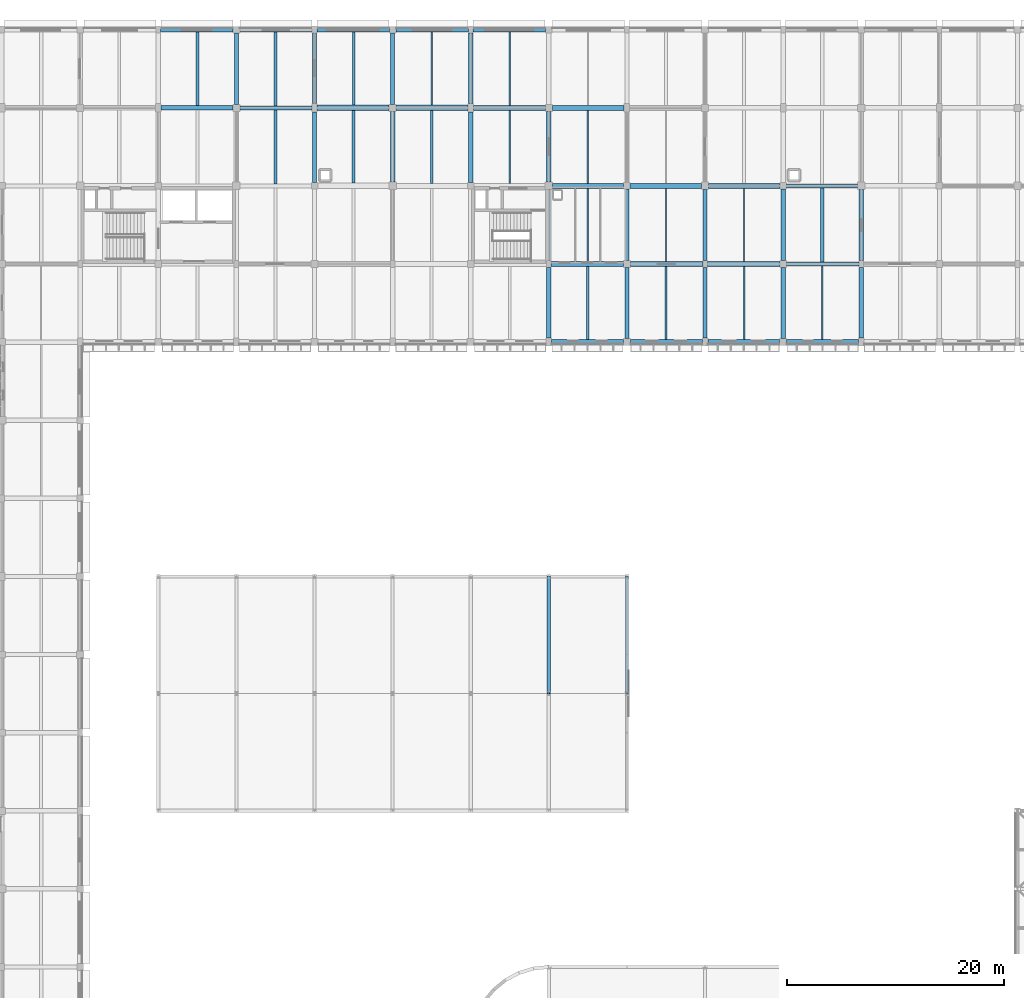
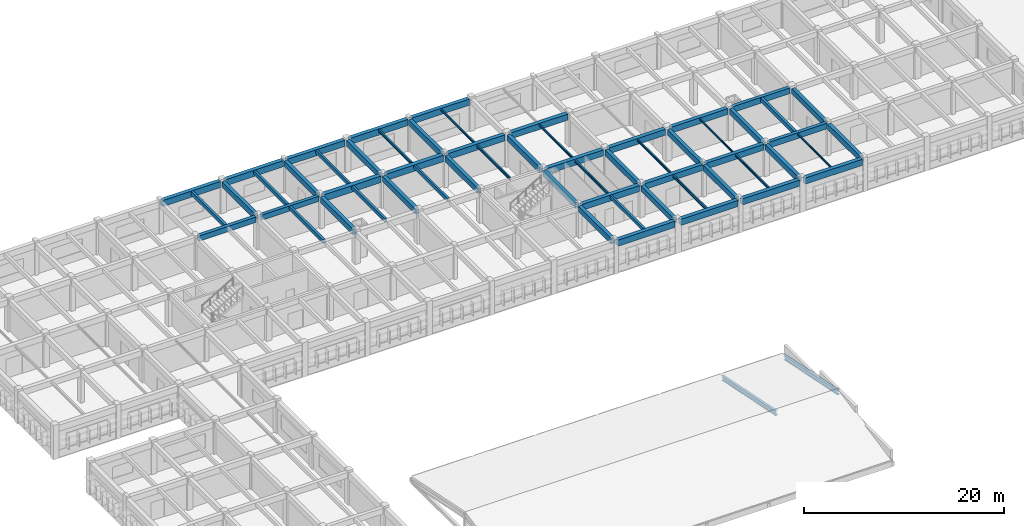
# One storey, part 43 of 103: 59 beams, 2 members.
"""IFC4 building model written with IfcOpenShell, lengths in metres."""

import ifcopenshell
import ifcopenshell.guid

model = None  # the IFC model being written
_history = None  # IfcOwnerHistory: only IFC2X3 demands one
_inside = {}  # id of a spatial element -> (the spatial element, [elements in it])
_under = {}  # id of a project, library or spatial element -> (it, [spatial elements below it])
_declared = {}  # id of a project -> (the project, [libraries it declares])
_typed = {}  # id of a type object -> (the type object, [elements of that type])
_made_of = {}  # id of a material, layer set ... -> (it, [elements and type objects made of it])


def new_model(schema):
    """Start an empty IFC model of exactly this schema.

    Asked for "IFC4X3", IfcOpenShell would pick the latest addendum, in which some entities
    have other attributes; the version numbers below select the first issue.
    IFC2X3 requires an IfcOwnerHistory on every rooted entity: one is made here for all.
    """
    global model, _history
    if schema == "IFC4X3":
        model = ifcopenshell.file(schema_version=(4, 3, 0, 0))
    else:
        model = ifcopenshell.file(schema=schema)
    _inside.clear()
    _under.clear()
    _declared.clear()
    _typed.clear()
    _made_of.clear()
    _history = None
    if model.schema == "IFC2X3":
        org = make("IfcOrganization", Name="unknown")
        user = make(
            "IfcPersonAndOrganization",
            ThePerson=make("IfcPerson", FamilyName="unknown"),
            TheOrganization=org,
        )
        app = make(
            "IfcApplication",
            ApplicationDeveloper=org,
            Version="unknown",
            ApplicationFullName="unknown",
            ApplicationIdentifier="unknown",
        )
        _history = make(
            "IfcOwnerHistory",
            OwningUser=user,
            OwningApplication=app,
            ChangeAction="ADDED",
            CreationDate=0,
        )
    return model


def make(cls, **values):
    """One entity of the class cls with the attributes given. An attribute that is None is left unset."""
    return model.create_entity(
        cls, **{name: value for name, value in values.items() if value is not None}
    )


def rooted(cls, **values):
    """An entity with a GlobalId (a new one), such as an element, a storey or a relation."""
    return make(cls, GlobalId=ifcopenshell.guid.new(), OwnerHistory=_history, **values)


def si_unit(unit_type, name, prefix=None):
    """IfcSIUnit, for example si_unit("LENGTHUNIT", "METRE", prefix="MILLI")."""
    return make("IfcSIUnit", UnitType=unit_type, Prefix=prefix, Name=name)


def assignment(units):
    """IfcUnitAssignment: the units of a project."""
    return None if units is None else make("IfcUnitAssignment", Units=units)


def point(xyz):
    """IfcCartesianPoint."""
    return None if xyz is None else make("IfcCartesianPoint", Coordinates=xyz)


def direction(xyz):
    """IfcDirection."""
    return None if xyz is None else make("IfcDirection", DirectionRatios=xyz)


def frame(location, z_axis=None, x_axis=None):
    """IfcAxis2Placement3D, a coordinate frame: its origin and axes. An axis left out is left unset."""
    return make(
        "IfcAxis2Placement3D",
        Location=point(location),
        Axis=direction(z_axis),
        RefDirection=direction(x_axis),
    )


def frame_2d(location, x_axis=None):
    """IfcAxis2Placement2D, a coordinate frame in the plane: its origin and x axis."""
    return make(
        "IfcAxis2Placement2D", Location=point(location), RefDirection=direction(x_axis)
    )


def origin():
    """The frame at (0, 0, 0) with its axes left unset."""
    return frame((0.0, 0.0, 0.0))


def origin_2d():
    """The frame at (0, 0) in the plane with its x axis left unset."""
    return frame_2d((0.0, 0.0))


def place(relative_to, where):
    """IfcLocalPlacement: puts the frame where relative to a parent placement (None: the world)."""
    return make(
        "IfcLocalPlacement", PlacementRelTo=relative_to, RelativePlacement=where
    )


def context(
    kind, dimensions, precision=None, world=None, true_north=None, identifier=None
):
    """IfcGeometricRepresentationContext, for example the 3D "Model" context."""
    return make(
        "IfcGeometricRepresentationContext",
        ContextIdentifier=identifier,
        ContextType=kind,
        CoordinateSpaceDimension=dimensions,
        Precision=precision,
        WorldCoordinateSystem=world,
        TrueNorth=true_north,
    )


def subcontext(parent, identifier, kind, view, scale=None):
    """IfcGeometricRepresentationSubContext, for example "Body" below "Model"."""
    return make(
        "IfcGeometricRepresentationSubContext",
        ContextIdentifier=identifier,
        ContextType=kind,
        ParentContext=parent,
        TargetScale=scale,
        TargetView=view,
    )


def project(units=None, contexts=None):
    """IfcProject with its units and contexts."""
    return rooted(
        "IfcProject",
        Name="project",
        RepresentationContexts=contexts,
        UnitsInContext=assignment(units),
    )


def spatial(cls, under=None, at=None, **own):
    """A site, building, storey or space (cls), placed at a placement, below another one or the project."""
    s = rooted(cls, ObjectPlacement=at, **own)
    if under is not None:
        _under.setdefault(under.id(), (under, []))[1].append(s)
    return s


def profile(cls, at=None, kind="AREA", **sizes):
    """A parametric profile (cls). Its sizes go by their IFC names, for example OverallWidth=200.0."""
    return make(cls, ProfileType=kind, Position=at, **sizes)


def rectangle(**sizes):
    """IfcRectangleProfileDef."""
    return profile("IfcRectangleProfileDef", **sizes)


def i_section(**sizes):
    """IfcIShapeProfileDef."""
    return profile("IfcIShapeProfileDef", **sizes)


def extrude(swept, where, along, depth):
    """IfcExtrudedAreaSolid: the profile swept, set in the frame where, extruded along a direction by depth."""
    return make(
        "IfcExtrudedAreaSolid",
        SweptArea=swept,
        Position=where,
        ExtrudedDirection=direction(along),
        Depth=depth,
    )


def shape(context_of_items, identifier, shape_type, items):
    """IfcShapeRepresentation: the items that make up one representation, for example the "Body"."""
    return make(
        "IfcShapeRepresentation",
        ContextOfItems=context_of_items,
        RepresentationIdentifier=identifier,
        RepresentationType=shape_type,
        Items=items,
    )


def material(Name=None, Category=None):
    """IfcMaterial."""
    return make("IfcMaterial", Name=Name, Category=Category)


def material_profile(
    of_material, cross_section, Name=None, Category=None, Priority=None
):
    """IfcMaterialProfile: a cross section and its material."""
    return make(
        "IfcMaterialProfile",
        Name=Name,
        Material=of_material,
        Profile=cross_section,
        Priority=Priority,
        Category=Category,
    )


def profile_set(profiles, Name=None, composite=None):
    """IfcMaterialProfileSet."""
    return make(
        "IfcMaterialProfileSet",
        Name=Name,
        MaterialProfiles=profiles,
        CompositeProfile=composite,
    )


def made_of(thing, what):
    """Note that an element or type object is made of a material, layer set ...; save() writes the relation."""
    if what is not None:
        _made_of.setdefault(what.id(), (what, []))[1].append(thing)
    return thing


def type_object(cls, material=None, **own):
    """A type object (cls), such as IfcWallType, which elements share."""
    return made_of(rooted(cls, **own), material)


def element(
    cls,
    number,
    at=None,
    inside=None,
    cuts=None,
    type_object=None,
    material=None,
    context=None,
    identifier="Body",
    shape_type=None,
    held_by="IfcProductDefinitionShape",
    body=None,
    shapes=None,
    **own,
):
    """One element of the class cls, such as IfcWall. Its Tag is "e" and its number.

    at: its placement. inside: the storey or other place that contains it. cuts: it is an
    opening in that element (IfcRelVoidsElement). A single representation is given by context,
    identifier, shape_type and body (its items); several are given by shapes. held_by: the class
    of the entity that holds the representations. save() writes the other relations.
    """
    e = rooted(cls, Tag="e%d" % number, ObjectPlacement=at, **own)
    if body is not None:
        shapes = [shape(context, identifier, shape_type, body)]
    if shapes is not None:
        e.Representation = make(held_by, Representations=shapes)
    if inside is not None:
        _inside.setdefault(inside.id(), (inside, []))[1].append(e)
    if cuts is not None:
        rooted(
            "IfcRelVoidsElement", RelatingBuildingElement=cuts, RelatedOpeningElement=e
        )
    if type_object is not None:
        _typed.setdefault(type_object.id(), (type_object, []))[1].append(e)
    return made_of(e, material)


def aggregate(whole, parts):
    """IfcRelAggregates: a whole, such as a stair, and the parts it consists of."""
    return rooted("IfcRelAggregates", RelatingObject=whole, RelatedObjects=parts)


def save(model, path):
    """Write the relations noted so far, then the file.

    IfcRelAggregates (storeys below a building ...), IfcRelContainedInSpatialStructure (elements
    in a storey), IfcRelDefinesByType, IfcRelAssociatesMaterial and IfcRelDeclares: one each for
    every whole, place, type object, material and project.
    """
    for whole, parts in _under.values():
        aggregate(whole, parts)
    for where, things in _inside.values():
        rooted(
            "IfcRelContainedInSpatialStructure",
            RelatedElements=things,
            RelatingStructure=where,
        )
    for kind, things in _typed.values():
        rooted("IfcRelDefinesByType", RelatedObjects=things, RelatingType=kind)
    for what, things in _made_of.values():
        rooted("IfcRelAssociatesMaterial", RelatedObjects=things, RelatingMaterial=what)
    for by, libraries in _declared.values():
        rooted("IfcRelDeclares", RelatingContext=by, RelatedDefinitions=libraries)
    model.write(path)


model = new_model("IFC4")

# Units and contexts
model_context = context("Model", 3, precision=1e-05, world=origin(), true_north=direction((0.0, 1.0)))
body_context = subcontext(model_context, "Body", "Model", "MODEL_VIEW")
ifc_project = project(units=[si_unit("LENGTHUNIT", "METRE"), si_unit("AREAUNIT", "SQUARE_METRE"), si_unit("VOLUMEUNIT", "CUBIC_METRE"), si_unit("PLANEANGLEUNIT", "RADIAN"), si_unit("MASSUNIT", "GRAM", prefix="KILO")], contexts=[model_context])

# Site, building, storey
site_placement = place(None, origin())
site = spatial("IfcSite", under=ifc_project, at=site_placement, CompositionType="ELEMENT")
building_placement = place(site_placement, origin())
building = spatial("IfcBuilding", under=site, at=building_placement, Name="Thalmaran Polytechnic", CompositionType="ELEMENT")
storey_placement = place(building_placement, frame((0.0, 0.0, 14.39990234375)))
storey = spatial("IfcBuildingStorey", under=building, at=storey_placement, Name="L03", CompositionType="ELEMENT", Elevation=14.39990234375)

# Beams
ifc_material_1 = material(Name="Concrete C40/50", Category="concrete")
ifc_material_profile_1 = material_profile(ifc_material_1, rectangle(XDim=0.5, YDim=0.800048828125, at=origin_2d()), Name="RC 500x800")
ifc_profile_set_1 = profile_set([ifc_material_profile_1], Name="Concrete C40/50")
beam_type_1 = type_object("IfcBeamType", Name="BM-RC02", PredefinedType="BEAM", material=ifc_profile_set_1)
beam_1_placement = place(storey_placement, frame((43.449951171875, 115.199951171875, 3.5400390625), z_axis=(1.0, 0.0, 0.0), x_axis=(0.0, 1.0, 0.0)))
element("IfcBeam", 1, at=beam_1_placement, inside=storey, type_object=beam_type_1, Name="Grid Beam B02 L03 X(6,16)", PredefinedType="BEAM", context=body_context, shape_type="SweptSolid", body=[
    extrude(rectangle(XDim=0.5, YDim=0.800048828125, at=origin_2d()), origin(), (0.0, 0.0, 1.0), 6.625),
])
ifc_material_profile_2 = material_profile(ifc_material_1, rectangle(XDim=0.449951171875, YDim=0.75, at=origin_2d()), Name="RC 450x750")
ifc_profile_set_2 = profile_set([ifc_material_profile_2], Name="Concrete C40/50")
beam_type_2 = type_object("IfcBeamType", Name="BM-RC03", PredefinedType="BEAM", material=ifc_profile_set_2)
beam_2_placement = place(storey_placement, frame((57.85009765625, 115.199951171875, 3.565185546875), z_axis=(1.0, 0.0, 0.0), x_axis=(0.0, 1.0, 0.0)))
element("IfcBeam", 2, at=beam_2_placement, inside=storey, type_object=beam_type_2, Name="Grid Beam B03 L03 X(8,16)", PredefinedType="BEAM", context=body_context, shape_type="SweptSolid", body=[
    extrude(rectangle(XDim=0.449951171875, YDim=0.75, at=origin_2d()), origin(), (0.0, 0.0, 1.0), 6.625),
])
ifc_material_profile_3 = material_profile(ifc_material_1, rectangle(XDim=0.449951171875, YDim=0.72509765625, at=origin_2d()), Name="RC 450x725")
ifc_profile_set_3 = profile_set([ifc_material_profile_3], Name="Concrete C40/50")
beam_type_3 = type_object("IfcBeamType", Name="BM-RC04", PredefinedType="BEAM", material=ifc_profile_set_3)
beam_3_placement = place(storey_placement, frame((72.31005859375, 100.800048828125, 3.57763671875), z_axis=(1.0, 0.0, 0.0), x_axis=(0.0, 1.0, 0.0)))
element("IfcBeam", 3, at=beam_3_placement, inside=storey, type_object=beam_type_3, Name="Grid Beam B04 L03 X(10,14)", PredefinedType="BEAM", context=body_context, shape_type="SweptSolid", body=[
    extrude(rectangle(XDim=0.449951171875, YDim=0.72509765625, at=origin_2d()), origin(), (0.0, 0.0, 1.0), 6.679931640625),
])
beam_4_placement = place(storey_placement, frame((72.300048828125, 108.0, 3.57763671875), z_axis=(1.0, 0.0, 0.0), x_axis=(0.0, 1.0, 0.0)))
element("IfcBeam", 4, at=beam_4_placement, inside=storey, type_object=beam_type_3, Name="Grid Beam B04 L03 X(10,15)", PredefinedType="BEAM", context=body_context, shape_type="SweptSolid", body=[
    extrude(rectangle(XDim=0.449951171875, YDim=0.72509765625, at=origin_2d()), origin(), (0.0, 0.0, 1.0), 6.56005859375),
])
ifc_material_profile_4 = material_profile(ifc_material_1, rectangle(XDim=0.39990234375, YDim=0.699951171875, at=origin_2d()), Name="RC 400x700")
ifc_profile_set_4 = profile_set([ifc_material_profile_4], Name="Concrete C40/50")
beam_type_4 = type_object("IfcBeamType", Name="BM-RC05", PredefinedType="BEAM", material=ifc_profile_set_4)
beam_5_placement = place(storey_placement, frame((86.7099609375, 100.800048828125, 3.590087890625), z_axis=(1.0, 0.0, 0.0), x_axis=(0.0, 1.0, 0.0)))
element("IfcBeam", 5, at=beam_5_placement, inside=storey, type_object=beam_type_4, Name="Grid Beam B05 L03 X(12,14)", PredefinedType="BEAM", context=body_context, shape_type="SweptSolid", body=[
    extrude(rectangle(XDim=0.39990234375, YDim=0.699951171875, at=origin_2d()), origin(), (0.0, 0.0, 1.0), 6.679931640625),
])
beam_6_placement = place(storey_placement, frame((86.699951171875, 108.0, 3.590087890625), z_axis=(1.0, 0.0, 0.0), x_axis=(0.0, 1.0, 0.0)))
element("IfcBeam", 6, at=beam_6_placement, inside=storey, type_object=beam_type_4, Name="Grid Beam B05 L03 X(12,15)", PredefinedType="BEAM", context=body_context, shape_type="SweptSolid", body=[
    extrude(rectangle(XDim=0.39990234375, YDim=0.699951171875, at=origin_2d()), origin(), (0.0, 0.0, 1.0), 6.56005859375),
])
ifc_material_profile_5 = material_profile(ifc_material_1, rectangle(XDim=0.39990234375, YDim=0.64990234375, at=origin_2d()), Name="RC 400x650")
ifc_profile_set_5 = profile_set([ifc_material_profile_5], Name="Concrete C40/50")
beam_type_5 = type_object("IfcBeamType", Name="BM-RC06", PredefinedType="BEAM", material=ifc_profile_set_5)
beam_7_placement = place(storey_placement, frame((29.050048828125, 115.199951171875, 3.614990234375), z_axis=(1.0, 0.0, 0.0), x_axis=(0.0, 1.0, 0.0)))
element("IfcBeam", 7, at=beam_7_placement, inside=storey, type_object=beam_type_5, Name="Grid Beam B06 L03 X(4,16)", PredefinedType="BEAM", context=body_context, shape_type="SweptSolid", body=[
    extrude(rectangle(XDim=0.39990234375, YDim=0.64990234375, at=origin_2d()), origin(), (0.0, 0.0, 1.0), 6.625),
])
ifc_material_profile_6 = material_profile(ifc_material_1, rectangle(XDim=0.389892578125, YDim=0.68994140625, at=origin_2d()), Name="RC 390x690")
ifc_profile_set_6 = profile_set([ifc_material_profile_6], Name="Concrete C40/50")
beam_type_6 = type_object("IfcBeamType", Name="BM-RC09", PredefinedType="BEAM", material=ifc_profile_set_6)
beam_8_placement = place(storey_placement, frame((64.800048828125, 101.1201171875, 3.59521484375), z_axis=(0.0, 1.0, 0.0), x_axis=(-1.0, 0.0, 0.0)))
element("IfcBeam", 8, at=beam_8_placement, inside=storey, type_object=beam_type_6, Name="Grid Beam B09 L03 Y(9,14)", PredefinedType="BEAM", context=body_context, shape_type="SweptSolid", body=[
    extrude(rectangle(XDim=0.389892578125, YDim=0.68994140625, at=origin_2d()), origin(), (0.0, 0.0, 1.0), 6.539794921875),
])
beam_9_placement = place(storey_placement, frame((72.0, 101.110107421875, 3.59521484375), z_axis=(0.0, 1.0, 0.0), x_axis=(-1.0, 0.0, 0.0)))
element("IfcBeam", 9, at=beam_9_placement, inside=storey, type_object=beam_type_6, Name="Grid Beam B09 L03 Y(10,14)", PredefinedType="BEAM", context=body_context, shape_type="SweptSolid", body=[
    extrude(rectangle(XDim=0.389892578125, YDim=0.68994140625, at=origin_2d()), origin(), (0.0, 0.0, 1.0), 6.58984375),
])
beam_10_placement = place(storey_placement, frame((79.199951171875, 101.1201171875, 3.59521484375), z_axis=(0.0, 1.0, 0.0), x_axis=(-1.0, 0.0, 0.0)))
element("IfcBeam", 10, at=beam_10_placement, inside=storey, type_object=beam_type_6, Name="Grid Beam B09 L03 Y(11,14)", PredefinedType="BEAM", context=body_context, shape_type="SweptSolid", body=[
    extrude(rectangle(XDim=0.389892578125, YDim=0.68994140625, at=origin_2d()), origin(), (0.0, 0.0, 1.0), 6.539794921875),
])
beam_11_placement = place(storey_placement, frame((86.39990234375, 101.110107421875, 3.59521484375), z_axis=(0.0, 1.0, 0.0), x_axis=(-1.0, 0.0, 0.0)))
element("IfcBeam", 11, at=beam_11_placement, inside=storey, type_object=beam_type_6, Name="Grid Beam B09 L03 Y(12,14)", PredefinedType="BEAM", context=body_context, shape_type="SweptSolid", body=[
    extrude(rectangle(XDim=0.389892578125, YDim=0.68994140625, at=origin_2d()), origin(), (0.0, 0.0, 1.0), 6.58984375),
])
beam_12_placement = place(storey_placement, frame((93.60009765625, 101.1201171875, 3.570068359375), z_axis=(0.0, 1.0, 0.0), x_axis=(-1.0, 0.0, 0.0)))
element("IfcBeam", 12, at=beam_12_placement, inside=storey, type_object=beam_type_6, Name="Grid Beam B09 L03 Y(13,14)", PredefinedType="BEAM", context=body_context, shape_type="SweptSolid", body=[
    extrude(rectangle(XDim=0.389892578125, YDim=0.68994140625, at=origin_2d()), origin(), (0.0, 0.0, 1.0), 6.539794921875),
])
ifc_material_profile_7 = material_profile(ifc_material_1, rectangle(XDim=0.389892578125, YDim=0.695068359375, at=origin_2d()), Name="RC 390x695")
ifc_profile_set_7 = profile_set([ifc_material_profile_7], Name="Concrete C40/50")
beam_type_7 = type_object("IfcBeamType", Name="BM-RC10", PredefinedType="BEAM", material=ifc_profile_set_7)
beam_13_placement = place(storey_placement, frame((36.0, 115.52490234375, 3.592529296875), z_axis=(0.0, 1.0, 0.0), x_axis=(-1.0, 0.0, 0.0)))
element("IfcBeam", 13, at=beam_13_placement, inside=storey, type_object=beam_type_7, Name="Grid Beam B10 L03 Y(5,16)", PredefinedType="BEAM", context=body_context, shape_type="SweptSolid", body=[
    extrude(rectangle(XDim=0.389892578125, YDim=0.695068359375, at=origin_2d()), origin(), (0.0, 0.0, 1.0), 6.565185546875),
])
beam_14_placement = place(storey_placement, frame((43.199951171875, 115.574951171875, 3.592529296875), z_axis=(0.0, 1.0, 0.0), x_axis=(-1.0, 0.0, 0.0)))
element("IfcBeam", 14, at=beam_14_placement, inside=storey, type_object=beam_type_7, Name="Grid Beam B10 L03 Y(6,16)", PredefinedType="BEAM", context=body_context, shape_type="SweptSolid", body=[
    extrude(rectangle(XDim=0.389892578125, YDim=0.695068359375, at=origin_2d()), origin(), (0.0, 0.0, 1.0), 6.505126953125),
])
beam_15_placement = place(storey_placement, frame((50.39990234375, 115.52490234375, 3.592529296875), z_axis=(0.0, 1.0, 0.0), x_axis=(-1.0, 0.0, 0.0)))
element("IfcBeam", 15, at=beam_15_placement, inside=storey, type_object=beam_type_7, Name="Grid Beam B10 L03 Y(7,16)", PredefinedType="BEAM", context=body_context, shape_type="SweptSolid", body=[
    extrude(rectangle(XDim=0.389892578125, YDim=0.695068359375, at=origin_2d()), origin(), (0.0, 0.0, 1.0), 6.565185546875),
])
beam_16_placement = place(storey_placement, frame((57.60009765625, 115.574951171875, 3.592529296875), z_axis=(0.0, 1.0, 0.0), x_axis=(-1.0, 0.0, 0.0)))
element("IfcBeam", 16, at=beam_16_placement, inside=storey, type_object=beam_type_7, Name="Grid Beam B10 L03 Y(8,16)", PredefinedType="BEAM", context=body_context, shape_type="SweptSolid", body=[
    extrude(rectangle(XDim=0.389892578125, YDim=0.695068359375, at=origin_2d()), origin(), (0.0, 0.0, 1.0), 6.505126953125),
])
ifc_material_profile_8 = material_profile(ifc_material_1, rectangle(XDim=0.300048828125, YDim=0.5, at=origin_2d()), Name="RC 300x500")
ifc_profile_set_8 = profile_set([ifc_material_profile_8], Name="Concrete C40/50")
beam_type_8 = type_object("IfcBeamType", Name="BM-RC11", PredefinedType="JOIST", material=ifc_profile_set_8)
beam_17_placement = place(storey_placement, frame((90.0, 101.0, 3.690185546875), z_axis=(0.0, 1.0, 0.0), x_axis=(-1.0, 0.0, 0.0)))
element("IfcBeam", 17, at=beam_17_placement, inside=storey, type_object=beam_type_8, Name="Secondary Floor Rib RB01 L03 (12,14)", PredefinedType="JOIST", context=body_context, shape_type="SweptSolid", body=[
    extrude(rectangle(XDim=0.300048828125, YDim=0.5, at=origin_2d()), origin(), (0.0, 0.0, 1.0), 6.800048828125),
])
ifc_material_profile_9 = material_profile(ifc_material_1, rectangle(XDim=0.280029296875, YDim=0.449951171875, at=origin_2d()), Name="RC 280x450")
ifc_profile_set_9 = profile_set([ifc_material_profile_9], Name="Concrete C40/50")
beam_type_9 = type_object("IfcBeamType", Name="BM-RC13", PredefinedType="JOIST", material=ifc_profile_set_9)
beam_18_placement = place(storey_placement, frame((32.39990234375, 115.39990234375, 3.715087890625), z_axis=(0.0, 1.0, 0.0), x_axis=(-1.0, 0.0, 0.0)))
element("IfcBeam", 18, at=beam_18_placement, inside=storey, type_object=beam_type_9, Name="Secondary Floor Rib RB03 L03 (4,16)", PredefinedType="JOIST", context=body_context, shape_type="SweptSolid", body=[
    extrude(rectangle(XDim=0.280029296875, YDim=0.449951171875, at=origin_2d()), origin(), (0.0, 0.0, 1.0), 6.775146484375),
])
beam_19_placement = place(storey_placement, frame((39.60009765625, 108.18994140625, 3.715087890625), z_axis=(0.0, 1.0, 0.0), x_axis=(-1.0, 0.0, 0.0)))
element("IfcBeam", 19, at=beam_19_placement, inside=storey, type_object=beam_type_9, Name="Secondary Floor Rib RB03 L03 (5,15)", PredefinedType="JOIST", context=body_context, shape_type="SweptSolid", body=[
    extrude(rectangle(XDim=0.280029296875, YDim=0.449951171875, at=origin_2d()), origin(), (0.0, 0.0, 1.0), 6.820068359375),
])
ifc_material_2 = material(Name="Steel S355", Category="steel")
ifc_material_profile_10 = material_profile(ifc_material_2, i_section(OverallWidth=0.159912109375, OverallDepth=0.330078125, WebThickness=0.007568359375, FlangeThickness=0.011474609375, at=origin_2d()), Name="IPE 330")
ifc_profile_set_10 = profile_set([ifc_material_profile_10], Name="Steel S355")
beam_type_10 = type_object("IfcBeamType", Name="BM-SJ02", PredefinedType="JOIST", material=ifc_profile_set_10)
beam_20_placement = place(storey_placement, frame((54.0, 115.43994140625, 3.775146484375), z_axis=(0.0, 1.0, 0.0), x_axis=(-1.0, 0.0, 0.0)))
element("IfcBeam", 20, at=beam_20_placement, inside=storey, type_object=beam_type_10, Name="Secondary Floor Rib SJ02 L03 (7,16)", PredefinedType="JOIST", context=body_context, shape_type="SweptSolid", body=[
    extrude(i_section(OverallWidth=0.159912109375, OverallDepth=0.330078125, WebThickness=0.007568359375, FlangeThickness=0.011474609375, at=origin_2d()), origin(), (0.0, 0.0, 1.0), 6.735107421875),
])
beam_21_placement = place(storey_placement, frame((61.199951171875, 108.22509765625, 3.775146484375), z_axis=(0.0, 1.0, 0.0), x_axis=(-1.0, 0.0, 0.0)))
element("IfcBeam", 21, at=beam_21_placement, inside=storey, type_object=beam_type_10, Name="Secondary Floor Rib SJ02 L03 (8,15)", PredefinedType="JOIST", context=body_context, shape_type="SweptSolid", body=[
    extrude(i_section(OverallWidth=0.159912109375, OverallDepth=0.330078125, WebThickness=0.007568359375, FlangeThickness=0.011474609375, at=origin_2d()), origin(), (0.0, 0.0, 1.0), 6.75),
])
beam_22_placement = place(storey_placement, frame((68.39990234375, 101.030029296875, 3.775146484375), z_axis=(0.0, 1.0, 0.0), x_axis=(-1.0, 0.0, 0.0)))
element("IfcBeam", 22, at=beam_22_placement, inside=storey, type_object=beam_type_10, Name="Secondary Floor Rib SJ02 L03 (9,14)", PredefinedType="JOIST", context=body_context, shape_type="SweptSolid", body=[
    extrude(i_section(OverallWidth=0.159912109375, OverallDepth=0.330078125, WebThickness=0.007568359375, FlangeThickness=0.011474609375, at=origin_2d()), origin(), (0.0, 0.0, 1.0), 6.739990234375),
])
beam_23_placement = place(storey_placement, frame((75.60009765625, 93.824951171875, 3.775146484375), z_axis=(0.0, 1.0, 0.0), x_axis=(-1.0, 0.0, 0.0)))
element("IfcBeam", 23, at=beam_23_placement, inside=storey, type_object=beam_type_10, Name="Secondary Floor Rib SJ02 L03 (10,13)", PredefinedType="JOIST", context=body_context, shape_type="SweptSolid", body=[
    extrude(i_section(OverallWidth=0.159912109375, OverallDepth=0.330078125, WebThickness=0.007568359375, FlangeThickness=0.011474609375, at=origin_2d()), origin(), (0.0, 0.0, 1.0), 6.75),
])
ifc_material_profile_11 = material_profile(ifc_material_2, i_section(OverallWidth=0.135009765625, OverallDepth=0.27001953125, WebThickness=0.006591796875, FlangeThickness=0.01025390625, at=origin_2d()), Name="IPE 270")
ifc_profile_set_11 = profile_set([ifc_material_profile_11], Name="Steel S355")
beam_type_11 = type_object("IfcBeamType", Name="BM-SJ03", PredefinedType="JOIST", material=ifc_profile_set_11)
beam_24_placement = place(storey_placement, frame((61.199951171875, 115.425048828125, 3.80517578125), z_axis=(0.0, 1.0, 0.0), x_axis=(-1.0, 0.0, 0.0)))
element("IfcBeam", 24, at=beam_24_placement, inside=storey, type_object=beam_type_11, Name="Secondary Floor Rib SJ03 L03 (8,16)", PredefinedType="JOIST", context=body_context, shape_type="SweptSolid", body=[
    extrude(i_section(OverallWidth=0.135009765625, OverallDepth=0.27001953125, WebThickness=0.006591796875, FlangeThickness=0.01025390625, at=origin_2d()), origin(), (0.0, 0.0, 1.0), 6.75),
])
beam_25_placement = place(storey_placement, frame((68.39990234375, 108.22998046875, 3.80517578125), z_axis=(0.0, 1.0, 0.0), x_axis=(-1.0, 0.0, 0.0)))
element("IfcBeam", 25, at=beam_25_placement, inside=storey, type_object=beam_type_11, Name="Secondary Floor Rib SJ03 L03 (9,15)", PredefinedType="JOIST", context=body_context, shape_type="SweptSolid", body=[
    extrude(i_section(OverallWidth=0.135009765625, OverallDepth=0.27001953125, WebThickness=0.006591796875, FlangeThickness=0.01025390625, at=origin_2d()), origin(), (0.0, 0.0, 1.0), 6.739990234375),
])
beam_26_placement = place(storey_placement, frame((75.60009765625, 101.02490234375, 3.80517578125), z_axis=(0.0, 1.0, 0.0), x_axis=(-1.0, 0.0, 0.0)))
element("IfcBeam", 26, at=beam_26_placement, inside=storey, type_object=beam_type_11, Name="Secondary Floor Rib SJ03 L03 (10,14)", PredefinedType="JOIST", context=body_context, shape_type="SweptSolid", body=[
    extrude(i_section(OverallWidth=0.135009765625, OverallDepth=0.27001953125, WebThickness=0.006591796875, FlangeThickness=0.01025390625, at=origin_2d()), origin(), (0.0, 0.0, 1.0), 6.75),
])
beam_27_placement = place(storey_placement, frame((82.800048828125, 93.824951171875, 3.80517578125), z_axis=(0.0, 1.0, 0.0), x_axis=(-1.0, 0.0, 0.0)))
element("IfcBeam", 27, at=beam_27_placement, inside=storey, type_object=beam_type_11, Name="Secondary Floor Rib SJ03 L03 (11,13)", PredefinedType="JOIST", context=body_context, shape_type="SweptSolid", body=[
    extrude(i_section(OverallWidth=0.135009765625, OverallDepth=0.27001953125, WebThickness=0.006591796875, FlangeThickness=0.01025390625, at=origin_2d()), origin(), (0.0, 0.0, 1.0), 6.755126953125),
])
ifc_material_profile_12 = material_profile(ifc_material_2, i_section(OverallWidth=0.110107421875, OverallDepth=0.219970703125, WebThickness=0.005859375, FlangeThickness=0.00927734375, at=origin_2d()), Name="IPE 220")
ifc_profile_set_12 = profile_set([ifc_material_profile_12], Name="Steel S355")
beam_type_12 = type_object("IfcBeamType", Name="BM-SJ04", PredefinedType="JOIST", material=ifc_profile_set_12)
beam_28_placement = place(storey_placement, frame((82.800048828125, 101.02001953125, 3.830078125), z_axis=(0.0, 1.0, 0.0), x_axis=(-1.0, 0.0, 0.0)))
element("IfcBeam", 28, at=beam_28_placement, inside=storey, type_object=beam_type_12, Name="Secondary Floor Rib SJ04 L03 (11,14)", PredefinedType="JOIST", context=body_context, shape_type="SweptSolid", body=[
    extrude(i_section(OverallWidth=0.110107421875, OverallDepth=0.219970703125, WebThickness=0.005859375, FlangeThickness=0.00927734375, at=origin_2d()), origin(), (0.0, 0.0, 1.0), 6.760009765625),
])
beam_29_placement = place(storey_placement, frame((90.0, 93.824951171875, 3.830078125), z_axis=(0.0, 1.0, 0.0), x_axis=(-1.0, 0.0, 0.0)))
element("IfcBeam", 29, at=beam_29_placement, inside=storey, type_object=beam_type_12, Name="Secondary Floor Rib SJ04 L03 (12,13)", PredefinedType="JOIST", context=body_context, shape_type="SweptSolid", body=[
    extrude(i_section(OverallWidth=0.110107421875, OverallDepth=0.219970703125, WebThickness=0.005859375, FlangeThickness=0.00927734375, at=origin_2d()), origin(), (0.0, 0.0, 1.0), 6.775146484375),
])
ifc_material_profile_13 = material_profile(ifc_material_1, rectangle(XDim=0.449951171875, YDim=0.7548828125, at=origin_2d()), Name="RC 450x755")
ifc_profile_set_13 = profile_set([ifc_material_profile_13], Name="Concrete C40/50")
beam_type_13 = type_object("IfcBeamType", Name="BM-SP02", PredefinedType="SPANDREL", material=ifc_profile_set_13)
for number, where, z_axis, x_axis, name in (
    (30, (29.010009765625, 122.39990234375, 3.5625), (1.0, 0.0, 0.0), (0.0, 1.0, 0.0), "Grid Beam SP02 L03 X(4,17)"),
    (31, (36.31005859375, 122.39990234375, 3.5625), (1.0, 0.0, 0.0), (0.0, 1.0, 0.0), "Grid Beam SP02 L03 X(5,17)"),
):
    element("IfcBeam", number, at=place(storey_placement, frame(where, z_axis=z_axis, x_axis=x_axis)), inside=storey, type_object=beam_type_13, Name=name, PredefinedType="SPANDREL", context=body_context, shape_type="SweptSolid", body=[
        extrude(rectangle(XDim=0.449951171875, YDim=0.7548828125, at=origin_2d()), origin(), (0.0, 0.0, 1.0), 6.679931640625),
    ])
beam_30_placement = place(storey_placement, frame((43.409912109375, 122.39990234375, 3.5625), z_axis=(1.0, 0.0, 0.0), x_axis=(0.0, 1.0, 0.0)))
element("IfcBeam", 32, at=beam_30_placement, inside=storey, type_object=beam_type_13, Name="Grid Beam SP02 L03 X(6,17)", PredefinedType="SPANDREL", context=body_context, shape_type="SweptSolid", body=[
    extrude(rectangle(XDim=0.449951171875, YDim=0.7548828125, at=origin_2d()), origin(), (0.0, 0.0, 1.0), 6.68017578125),
])
for number, where, z_axis, x_axis, name in (
    (33, (50.7099609375, 122.39990234375, 3.5625), (1.0, 0.0, 0.0), (0.0, 1.0, 0.0), "Grid Beam SP02 L03 X(7,17)"),
    (34, (57.81005859375, 122.39990234375, 3.5625), (1.0, 0.0, 0.0), (0.0, 1.0, 0.0), "Grid Beam SP02 L03 X(8,17)"),
):
    element("IfcBeam", number, at=place(storey_placement, frame(where, z_axis=z_axis, x_axis=x_axis)), inside=storey, type_object=beam_type_13, Name=name, PredefinedType="SPANDREL", context=body_context, shape_type="SweptSolid", body=[
        extrude(rectangle(XDim=0.449951171875, YDim=0.7548828125, at=origin_2d()), origin(), (0.0, 0.0, 1.0), 6.679931640625),
    ])
for number, where, z_axis, x_axis, name in (
    (35, (65.050048828125, 93.60009765625, 3.5625), (1.0, 0.0, 0.0), (0.0, 1.0, 0.0), "Grid Beam SP02 L03 X(9,13)"),
    (36, (72.324951171875, 93.60009765625, 3.5625), (1.0, 0.0, 0.0), (0.0, 1.0, 0.0), "Grid Beam SP02 L03 X(10,13)"),
    (37, (79.449951171875, 93.60009765625, 3.5625), (1.0, 0.0, 0.0), (0.0, 1.0, 0.0), "Grid Beam SP02 L03 X(11,13)"),
    (38, (86.72509765625, 93.60009765625, 3.5625), (1.0, 0.0, 0.0), (0.0, 1.0, 0.0), "Grid Beam SP02 L03 X(12,13)"),
):
    element("IfcBeam", number, at=place(storey_placement, frame(where, z_axis=z_axis, x_axis=x_axis)), inside=storey, type_object=beam_type_13, Name=name, PredefinedType="SPANDREL", context=body_context, shape_type="SweptSolid", body=[
        extrude(rectangle(XDim=0.449951171875, YDim=0.7548828125, at=origin_2d()), origin(), (0.0, 0.0, 1.0), 6.625),
    ])
ifc_material_profile_14 = material_profile(ifc_material_1, rectangle(XDim=0.47998046875, YDim=0.780029296875, at=origin_2d()), Name="RC 480x780")
ifc_profile_set_14 = profile_set([ifc_material_profile_14], Name="Concrete C40/50")
beam_type_14 = type_object("IfcBeamType", Name="BM-ZB01", PredefinedType="BEAM", material=ifc_profile_set_14)
beam_31_placement = place(storey_placement, frame((50.72509765625, 115.199951171875, 3.550048828125), z_axis=(1.0, 0.0, 0.0), x_axis=(0.0, 1.0, 0.0)))
element("IfcBeam", 39, at=beam_31_placement, inside=storey, type_object=beam_type_14, Name="Grid Beam ZB01 L03 X(7,16)", PredefinedType="BEAM", context=body_context, shape_type="SweptSolid", body=[
    extrude(rectangle(XDim=0.47998046875, YDim=0.780029296875, at=origin_2d()), origin(), (0.0, 0.0, 1.0), 6.625),
])
ifc_material_profile_15 = material_profile(ifc_material_1, rectangle(XDim=0.4599609375, YDim=0.739990234375, at=origin_2d()), Name="RC 460x740")
ifc_profile_set_15 = profile_set([ifc_material_profile_15], Name="Concrete C40/50")
beam_type_15 = type_object("IfcBeamType", Name="BM-ZB02", PredefinedType="BEAM", material=ifc_profile_set_15)
beam_32_placement = place(storey_placement, frame((65.010009765625, 100.800048828125, 3.570068359375), z_axis=(1.0, 0.0, 0.0), x_axis=(0.0, 1.0, 0.0)))
element("IfcBeam", 40, at=beam_32_placement, inside=storey, type_object=beam_type_15, Name="Grid Beam ZB02 L03 X(9,14)", PredefinedType="BEAM", context=body_context, shape_type="SweptSolid", body=[
    extrude(rectangle(XDim=0.4599609375, YDim=0.739990234375, at=origin_2d()), origin(), (0.0, 0.0, 1.0), 6.679931640625),
])
beam_33_placement = place(storey_placement, frame((65.139892578125, 108.0, 3.570068359375), z_axis=(1.0, 0.0, 0.0), x_axis=(0.0, 1.0, 0.0)))
element("IfcBeam", 41, at=beam_33_placement, inside=storey, type_object=beam_type_15, Name="Grid Beam ZB02 L03 X(9,15)", PredefinedType="BEAM", context=body_context, shape_type="SweptSolid", body=[
    extrude(rectangle(XDim=0.4599609375, YDim=0.739990234375, at=origin_2d()), origin(), (0.0, 0.0, 1.0), 6.56005859375),
])
beam_34_placement = place(storey_placement, frame((65.125, 115.199951171875, 3.570068359375), z_axis=(1.0, 0.0, 0.0), x_axis=(0.0, 1.0, 0.0)))
element("IfcBeam", 42, at=beam_34_placement, inside=storey, type_object=beam_type_15, Name="Grid Beam ZB02 L03 X(9,16)", PredefinedType="BEAM", context=body_context, shape_type="SweptSolid", body=[
    extrude(rectangle(XDim=0.4599609375, YDim=0.739990234375, at=origin_2d()), origin(), (0.0, 0.0, 1.0), 6.625),
])
ifc_material_profile_16 = material_profile(ifc_material_1, rectangle(XDim=0.43994140625, YDim=0.719970703125, at=origin_2d()), Name="RC 440x720")
ifc_profile_set_16 = profile_set([ifc_material_profile_16], Name="Concrete C40/50")
beam_type_16 = type_object("IfcBeamType", Name="BM-ZB03", PredefinedType="BEAM", material=ifc_profile_set_16)
beam_35_placement = place(storey_placement, frame((79.409912109375, 100.800048828125, 3.580078125), z_axis=(1.0, 0.0, 0.0), x_axis=(0.0, 1.0, 0.0)))
element("IfcBeam", 43, at=beam_35_placement, inside=storey, type_object=beam_type_16, Name="Grid Beam ZB03 L03 X(11,14)", PredefinedType="BEAM", context=body_context, shape_type="SweptSolid", body=[
    extrude(rectangle(XDim=0.43994140625, YDim=0.719970703125, at=origin_2d()), origin(), (0.0, 0.0, 1.0), 6.68017578125),
])
beam_36_placement = place(storey_placement, frame((79.5400390625, 108.0, 3.580078125), z_axis=(1.0, 0.0, 0.0), x_axis=(0.0, 1.0, 0.0)))
element("IfcBeam", 44, at=beam_36_placement, inside=storey, type_object=beam_type_16, Name="Grid Beam ZB03 L03 X(11,15)", PredefinedType="BEAM", context=body_context, shape_type="SweptSolid", body=[
    extrude(rectangle(XDim=0.43994140625, YDim=0.719970703125, at=origin_2d()), origin(), (0.0, 0.0, 1.0), 6.56005859375),
])
ifc_material_profile_17 = material_profile(ifc_material_1, rectangle(XDim=0.3798828125, YDim=0.639892578125, at=origin_2d()), Name="RC 380x640")
ifc_profile_set_17 = profile_set([ifc_material_profile_17], Name="Concrete C40/50")
beam_type_17 = type_object("IfcBeamType", Name="BM-ZB05", PredefinedType="BEAM", material=ifc_profile_set_17)
beam_37_placement = place(storey_placement, frame((36.324951171875, 115.199951171875, 3.6201171875), z_axis=(1.0, 0.0, 0.0), x_axis=(0.0, 1.0, 0.0)))
element("IfcBeam", 45, at=beam_37_placement, inside=storey, type_object=beam_type_17, Name="Grid Beam ZB05 L03 X(5,16)", PredefinedType="BEAM", context=body_context, shape_type="SweptSolid", body=[
    extrude(rectangle(XDim=0.3798828125, YDim=0.639892578125, at=origin_2d()), origin(), (0.0, 0.0, 1.0), 6.625),
])
ifc_material_profile_18 = material_profile(ifc_material_1, rectangle(XDim=0.39990234375, YDim=0.68505859375, at=origin_2d()), Name="RC 400x685")
ifc_profile_set_18 = profile_set([ifc_material_profile_18], Name="Concrete C40/50")
beam_type_18 = type_object("IfcBeamType", Name="BM-ZB07", PredefinedType="BEAM", material=ifc_profile_set_18)
beam_38_placement = place(storey_placement, frame((64.800048828125, 93.97509765625, 3.59765625), z_axis=(0.0, 1.0, 0.0), x_axis=(-1.0, 0.0, 0.0)))
element("IfcBeam", 46, at=beam_38_placement, inside=storey, type_object=beam_type_18, Name="Grid Beam ZB07 L03 Y(9,13)", PredefinedType="BEAM", context=body_context, shape_type="SweptSolid", body=[
    extrude(rectangle(XDim=0.39990234375, YDim=0.68505859375, at=origin_2d()), origin(), (0.0, 0.0, 1.0), 6.5048828125),
])
beam_39_placement = place(storey_placement, frame((72.0, 93.925048828125, 3.59765625), z_axis=(0.0, 1.0, 0.0), x_axis=(-1.0, 0.0, 0.0)))
element("IfcBeam", 47, at=beam_39_placement, inside=storey, type_object=beam_type_18, Name="Grid Beam ZB07 L03 Y(10,13)", PredefinedType="BEAM", context=body_context, shape_type="SweptSolid", body=[
    extrude(rectangle(XDim=0.39990234375, YDim=0.68505859375, at=origin_2d()), origin(), (0.0, 0.0, 1.0), 6.56494140625),
])
beam_40_placement = place(storey_placement, frame((79.199951171875, 93.97509765625, 3.59765625), z_axis=(0.0, 1.0, 0.0), x_axis=(-1.0, 0.0, 0.0)))
element("IfcBeam", 48, at=beam_40_placement, inside=storey, type_object=beam_type_18, Name="Grid Beam ZB07 L03 Y(11,13)", PredefinedType="BEAM", context=body_context, shape_type="SweptSolid", body=[
    extrude(rectangle(XDim=0.39990234375, YDim=0.68505859375, at=origin_2d()), origin(), (0.0, 0.0, 1.0), 6.5048828125),
])
beam_41_placement = place(storey_placement, frame((86.39990234375, 93.925048828125, 3.59765625), z_axis=(0.0, 1.0, 0.0), x_axis=(-1.0, 0.0, 0.0)))
element("IfcBeam", 49, at=beam_41_placement, inside=storey, type_object=beam_type_18, Name="Grid Beam ZB07 L03 Y(12,13)", PredefinedType="BEAM", context=body_context, shape_type="SweptSolid", body=[
    extrude(rectangle(XDim=0.39990234375, YDim=0.68505859375, at=origin_2d()), origin(), (0.0, 0.0, 1.0), 6.56494140625),
])
beam_42_placement = place(storey_placement, frame((93.60009765625, 93.97509765625, 3.572509765625), z_axis=(0.0, 1.0, 0.0), x_axis=(-1.0, 0.0, 0.0)))
element("IfcBeam", 50, at=beam_42_placement, inside=storey, type_object=beam_type_18, Name="Grid Beam ZB07 L03 Y(13,13)", PredefinedType="BEAM", context=body_context, shape_type="SweptSolid", body=[
    extrude(rectangle(XDim=0.39990234375, YDim=0.68505859375, at=origin_2d()), origin(), (0.0, 0.0, 1.0), 6.5048828125),
])
ifc_material_profile_19 = material_profile(ifc_material_1, rectangle(XDim=0.39990234375, YDim=0.695068359375, at=origin_2d()), Name="RC 400x695")
ifc_profile_set_19 = profile_set([ifc_material_profile_19], Name="Concrete C40/50")
beam_type_19 = type_object("IfcBeamType", Name="BM-ZB08", PredefinedType="BEAM", material=ifc_profile_set_19)
beam_43_placement = place(storey_placement, frame((43.199951171875, 108.300048828125, 3.592529296875), z_axis=(0.0, 1.0, 0.0), x_axis=(-1.0, 0.0, 0.0)))
element("IfcBeam", 51, at=beam_43_placement, inside=storey, type_object=beam_type_19, Name="Grid Beam ZB08 L03 Y(6,15)", PredefinedType="BEAM", context=body_context, shape_type="SweptSolid", body=[
    extrude(rectangle(XDim=0.39990234375, YDim=0.695068359375, at=origin_2d()), origin(), (0.0, 0.0, 1.0), 6.52490234375),
])
beam_44_placement = place(storey_placement, frame((50.39990234375, 108.340087890625, 3.592529296875), z_axis=(0.0, 1.0, 0.0), x_axis=(-1.0, 0.0, 0.0)))
element("IfcBeam", 52, at=beam_44_placement, inside=storey, type_object=beam_type_19, Name="Grid Beam ZB08 L03 Y(7,15)", PredefinedType="BEAM", context=body_context, shape_type="SweptSolid", body=[
    extrude(rectangle(XDim=0.39990234375, YDim=0.695068359375, at=origin_2d()), origin(), (0.0, 0.0, 1.0), 6.534912109375),
])
beam_45_placement = place(storey_placement, frame((57.60009765625, 108.300048828125, 3.592529296875), z_axis=(0.0, 1.0, 0.0), x_axis=(-1.0, 0.0, 0.0)))
element("IfcBeam", 53, at=beam_45_placement, inside=storey, type_object=beam_type_19, Name="Grid Beam ZB08 L03 Y(8,15)", PredefinedType="BEAM", context=body_context, shape_type="SweptSolid", body=[
    extrude(rectangle(XDim=0.39990234375, YDim=0.695068359375, at=origin_2d()), origin(), (0.0, 0.0, 1.0), 6.52490234375),
])
beam_46_placement = place(storey_placement, frame((64.800048828125, 108.340087890625, 3.592529296875), z_axis=(0.0, 1.0, 0.0), x_axis=(-1.0, 0.0, 0.0)))
element("IfcBeam", 54, at=beam_46_placement, inside=storey, type_object=beam_type_19, Name="Grid Beam ZB08 L03 Y(9,15)", PredefinedType="BEAM", context=body_context, shape_type="SweptSolid", body=[
    extrude(rectangle(XDim=0.39990234375, YDim=0.695068359375, at=origin_2d()), origin(), (0.0, 0.0, 1.0), 6.534912109375),
])
ifc_material_profile_20 = material_profile(ifc_material_1, rectangle(XDim=0.25, YDim=0.419921875, at=origin_2d()), Name="RC 250x420")
ifc_profile_set_20 = profile_set([ifc_material_profile_20], Name="Concrete C40/50")
beam_type_20 = type_object("IfcBeamType", Name="BM-ZJ03", PredefinedType="JOIST", material=ifc_profile_set_20)
beam_47_placement = place(storey_placement, frame((39.60009765625, 115.389892578125, 3.72998046875), z_axis=(0.0, 1.0, 0.0), x_axis=(-1.0, 0.0, 0.0)))
element("IfcBeam", 55, at=beam_47_placement, inside=storey, type_object=beam_type_20, Name="Secondary Floor Rib ZJ03 L03 (5,16)", PredefinedType="JOIST", context=body_context, shape_type="SweptSolid", body=[
    extrude(rectangle(XDim=0.25, YDim=0.419921875, at=origin_2d()), origin(), (0.0, 0.0, 1.0), 6.78515625),
])
beam_48_placement = place(storey_placement, frame((46.800048828125, 108.25, 3.72998046875), z_axis=(0.0, 1.0, 0.0), x_axis=(-1.0, 0.0, 0.0)))
element("IfcBeam", 56, at=beam_48_placement, inside=storey, type_object=beam_type_20, Name="Secondary Floor Rib ZJ03 L03 (6,15)", PredefinedType="JOIST", context=body_context, shape_type="SweptSolid", body=[
    extrude(rectangle(XDim=0.25, YDim=0.419921875, at=origin_2d()), origin(), (0.0, 0.0, 1.0), 6.699951171875),
])
ifc_material_profile_21 = material_profile(ifc_material_1, rectangle(XDim=0.239990234375, YDim=0.39990234375, at=origin_2d()), Name="RC 240x400")
ifc_profile_set_21 = profile_set([ifc_material_profile_21], Name="Concrete C40/50")
beam_type_21 = type_object("IfcBeamType", Name="BM-ZJ04", PredefinedType="JOIST", material=ifc_profile_set_21)
beam_49_placement = place(storey_placement, frame((46.800048828125, 115.449951171875, 3.739990234375), z_axis=(0.0, 1.0, 0.0), x_axis=(-1.0, 0.0, 0.0)))
element("IfcBeam", 57, at=beam_49_placement, inside=storey, type_object=beam_type_21, Name="Secondary Floor Rib ZJ04 L03 (6,16)", PredefinedType="JOIST", context=body_context, shape_type="SweptSolid", body=[
    extrude(rectangle(XDim=0.239990234375, YDim=0.39990234375, at=origin_2d()), origin(), (0.0, 0.0, 1.0), 6.72509765625),
])
beam_50_placement = place(storey_placement, frame((54.0, 108.239990234375, 3.739990234375), z_axis=(0.0, 1.0, 0.0), x_axis=(-1.0, 0.0, 0.0)))
element("IfcBeam", 58, at=beam_50_placement, inside=storey, type_object=beam_type_21, Name="Secondary Floor Rib ZJ04 L03 (7,15)", PredefinedType="JOIST", context=body_context, shape_type="SweptSolid", body=[
    extrude(rectangle(XDim=0.239990234375, YDim=0.39990234375, at=origin_2d()), origin(), (0.0, 0.0, 1.0), 6.719970703125),
])
beam_51_placement = place(storey_placement, frame((68.39990234375, 93.824951171875, 3.739990234375), z_axis=(0.0, 1.0, 0.0), x_axis=(-1.0, 0.0, 0.0)))
element("IfcBeam", 59, at=beam_51_placement, inside=storey, type_object=beam_type_21, Name="Secondary Floor Rib ZJ04 L03 (9,13)", PredefinedType="JOIST", context=body_context, shape_type="SweptSolid", body=[
    extrude(rectangle(XDim=0.239990234375, YDim=0.39990234375, at=origin_2d()), origin(), (0.0, 0.0, 1.0), 6.7451171875),
])

# Members
ifc_material_profile_22 = material_profile(ifc_material_2, i_section(OverallWidth=0.300048828125, OverallDepth=0.550048828125, WebThickness=0.014892578125, FlangeThickness=0.029052734375, at=origin_2d()), Name="HEB 550")
ifc_profile_set_22 = profile_set([ifc_material_profile_22], Name="Steel S355")
member_type = type_object("IfcMemberType", Name="MB-RAF1", PredefinedType="RAFTER", material=ifc_profile_set_22)
for number, where, z_axis, x_axis, name in (
    (60, (64.800048828125, 61.199951171875, 2.3974609375), (0.0, 0.979925221211, -0.199365395278), (-1.0, 0.0, 0.0), "Refectory Parasol Rafter G09-N"),
    (61, (72.0, 61.199951171875, 2.3974609375), (0.0, 0.979925221211, -0.199365395278), (-1.0, 0.0, 0.0), "Refectory Parasol Rafter G10-N"),
):
    element("IfcMember", number, at=place(storey_placement, frame(where, z_axis=z_axis, x_axis=x_axis)), inside=storey, type_object=member_type, Name=name, PredefinedType="RAFTER", context=body_context, shape_type="SweptSolid", body=[
        extrude(i_section(OverallWidth=0.300048828125, OverallDepth=0.550048828125, WebThickness=0.014892578125, FlangeThickness=0.029052734375, at=origin_2d()), origin(), (0.0, 0.0, 1.0), 11.021240234375),
    ])

save(model, "model.ifc")
